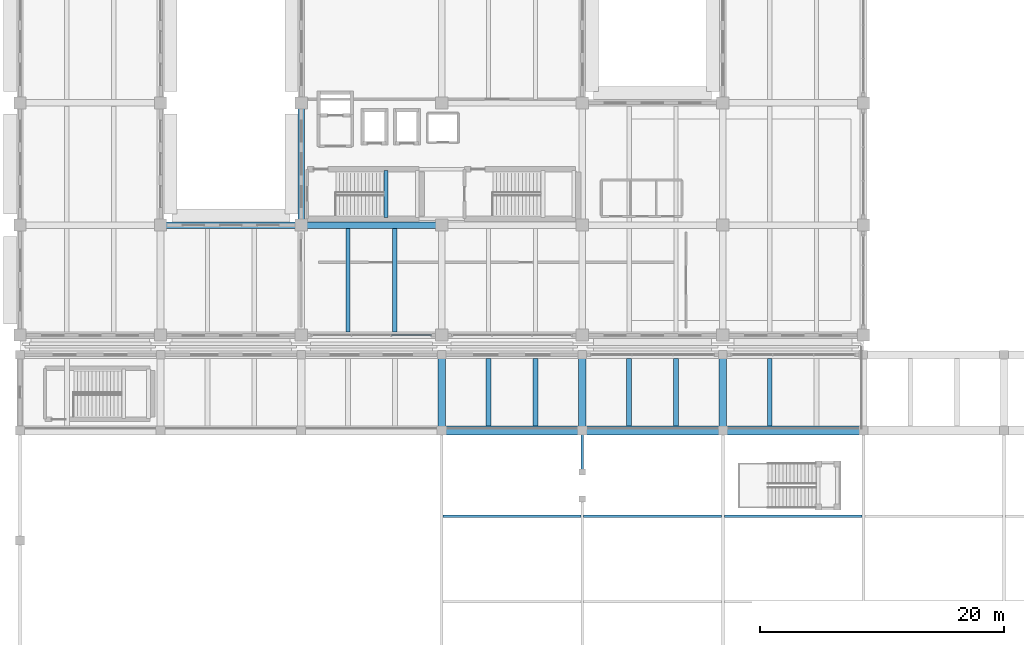
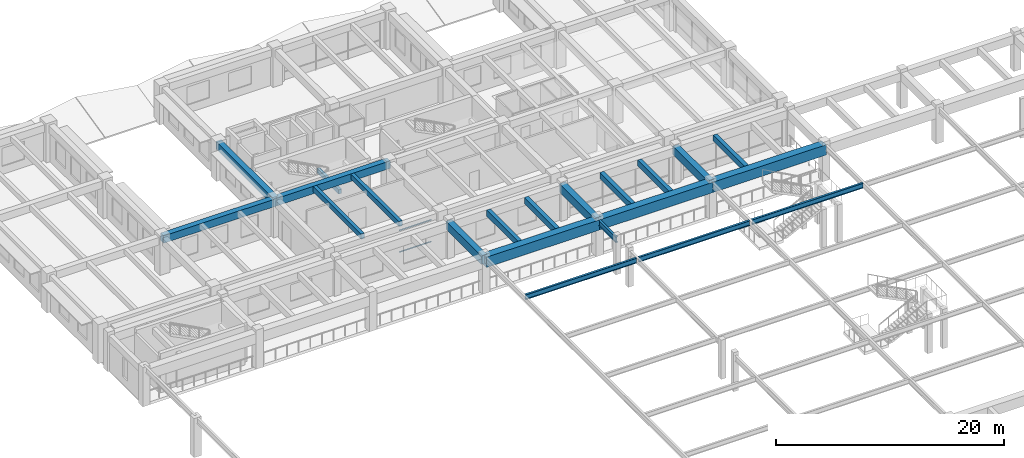
# One storey, part 21 of 98: 21 beams, 2 members, 1 element without a shape of its own.
"""IFC4 building model written with IfcOpenShell, lengths in metres."""

from ifc_helpers import new_model, si_unit, direction, frame, origin, origin_2d, place, context, subcontext, project, spatial, rectangle, hollow_rectangle, i_section, extrude, material, material_profile, profile_set, type_object, element, aggregate, save


model = new_model("IFC4")

# Units and contexts
model_context = context("Model", 3, precision=1e-05, world=origin(), true_north=direction((0.0, 1.0)))
body_context = subcontext(model_context, "Body", "Model", "MODEL_VIEW")
ifc_project = project(units=[si_unit("LENGTHUNIT", "METRE"), si_unit("AREAUNIT", "SQUARE_METRE"), si_unit("VOLUMEUNIT", "CUBIC_METRE"), si_unit("PLANEANGLEUNIT", "RADIAN"), si_unit("MASSUNIT", "GRAM", prefix="KILO")], contexts=[model_context])

# Site, building, storey
site_placement = place(None, origin())
site = spatial("IfcSite", under=ifc_project, at=site_placement, CompositionType="ELEMENT")
building_placement = place(site_placement, origin())
building = spatial("IfcBuilding", under=site, at=building_placement, Name="Ologun Quay Terminus", CompositionType="ELEMENT")
storey_placement = place(building_placement, frame((0.0, 0.0, 4.199951171875)))
storey = spatial("IfcBuildingStorey", under=building, at=storey_placement, Name="L01", CompositionType="ELEMENT", Elevation=4.199951171875)

# Beams
ifc_material_1 = material(Name="Concrete C45/55", Category="concrete")
ifc_material_profile_1 = material_profile(ifc_material_1, rectangle(XDim=0.75, YDim=1.10009765625, at=origin_2d()), Name="RC 750x1100")
ifc_profile_set_1 = profile_set([ifc_material_profile_1], Name="Concrete C45/55")
beam_type_1 = type_object("IfcBeamType", Name="Concourse Primary Girder 750x1100", PredefinedType="BEAM", material=ifc_profile_set_1)
for number, where, z_axis, x_axis, name in (
    (1, (34.5, 78.0, 3.300048828125), (1.0, 0.0, 0.0), (0.0, 1.0, 0.0), "B2 Beam 4/F L01"),
    (2, (46.0, 78.0, 3.300048828125), (1.0, 0.0, 0.0), (0.0, 1.0, 0.0), "B2 Beam 5/F L01"),
    (3, (57.5, 78.0, 3.300048828125), (1.0, 0.0, 0.0), (0.0, 1.0, 0.0), "B2 Beam 6/F L01"),
):
    element("IfcBeam", number, at=place(storey_placement, frame(where, z_axis=z_axis, x_axis=x_axis)), inside=storey, type_object=beam_type_1, Name=name, PredefinedType="BEAM", context=body_context, shape_type="SweptSolid", body=[
        extrude(rectangle(XDim=0.75, YDim=1.10009765625, at=origin_2d()), origin(), (0.0, 0.0, 1.0), 11.5),
    ])
ifc_material_2 = material(Name="Steel S355", Category="steel")
ifc_material_profile_2 = material_profile(ifc_material_2, i_section(OverallWidth=0.209228515625, OverallDepth=0.533203125, WebThickness=0.010009765625, FlangeThickness=0.015625, at=origin_2d()), Name="UKB 533x210x92")
ifc_profile_set_2 = profile_set([ifc_material_profile_2], Name="Steel S355")
beam_type_2 = type_object("IfcBeamType", Name="Concourse Steel Secondary Beam UKB533", PredefinedType="BEAM", material=ifc_profile_set_2)
for number, where, z_axis, x_axis, name in (
    (4, (34.614013671875, 71.0, 3.58349609375), (1.0, 0.0, 0.0), (0.0, 1.0, 0.0), "SB2 Beam 4/E L01"),
    (5, (46.114013671875, 71.0, 3.58349609375), (1.0, 0.0, 0.0), (0.0, 1.0, 0.0), "SB2 Beam 5/E L01"),
    (6, (57.614013671875, 71.0, 3.58349609375), (1.0, 0.0, 0.0), (0.0, 1.0, 0.0), "SB2 Beam 6/E L01"),
):
    element("IfcBeam", number, at=place(storey_placement, frame(where, z_axis=z_axis, x_axis=x_axis)), inside=storey, type_object=beam_type_2, Name=name, PredefinedType="BEAM", context=body_context, shape_type="SweptSolid", body=[
        extrude(i_section(OverallWidth=0.209228515625, OverallDepth=0.533203125, WebThickness=0.010009765625, FlangeThickness=0.015625, at=origin_2d()), origin(), (0.0, 0.0, 1.0), 11.27197265625),
    ])
ifc_material_3 = material(Name="Steel S355", Category="steel")
ifc_material_profile_3 = material_profile(ifc_material_3, i_section(OverallWidth=0.228271484375, OverallDepth=0.607666015625, WebThickness=0.010986328125, FlangeThickness=0.017333984375, at=origin_2d()), Name="UKB 610x229x113")
ifc_profile_set_3 = profile_set([ifc_material_profile_3], Name="Steel S355")
beam_type_3 = type_object("IfcBeamType", Name="Concourse Steel Spine Girder UKB610", PredefinedType="BEAM", material=ifc_profile_set_3)
beam_1_placement = place(storey_placement, frame((46.0, 74.60009765625, 3.546142578125), z_axis=(0.0, 1.0, 0.0), x_axis=(-1.0, 0.0, 0.0)))
element("IfcBeam", 7, at=beam_1_placement, inside=storey, type_object=beam_type_3, Name="SB1 Beam 5/E L01", PredefinedType="BEAM", context=body_context, shape_type="SweptSolid", body=[
    extrude(i_section(OverallWidth=0.228271484375, OverallDepth=0.607666015625, WebThickness=0.010986328125, FlangeThickness=0.017333984375, at=origin_2d()), origin(), (0.0, 0.0, 1.0), 3.39990234375),
])
ifc_material_4 = material(Name="Concrete C40/50", Category="concrete")
ifc_material_profile_4 = material_profile(ifc_material_4, rectangle(XDim=0.300048828125, YDim=0.449951171875, at=origin_2d()), Name="RC 300x450")
ifc_profile_set_4 = profile_set([ifc_material_profile_4], Name="Concrete C40/50")
beam_type_4 = type_object("IfcBeamType", Name="Core Coupling Lintel Beam 300x450", PredefinedType="LINTEL", material=ifc_profile_set_4)
beam_2_placement = place(storey_placement, frame((29.93994140625, 95.429931640625, 1.695068359375), z_axis=(0.0, 1.0, 0.0), x_axis=(-1.0, 0.0, 0.0)))
element("IfcBeam", 8, at=beam_2_placement, inside=storey, type_object=beam_type_4, Name="LN1 Half-Landing Ledger Beam ST-W1-W L01", PredefinedType="LINTEL", context=body_context, shape_type="SweptSolid", body=[
    extrude(rectangle(XDim=0.300048828125, YDim=0.449951171875, at=origin_2d()), origin(), (0.0, 0.0, 1.0), 3.840087890625),
])

# Curtain wall, members
ifc_material_5 = material(Name="Aluminium 6063-T6", Category="aluminium")
curtain_wall_type = type_object("IfcCurtainWallType", Name="Waterfront Pavilion Harbour Curtain Wall L01 10500x3850", PredefinedType="USERDEFINED", material=ifc_material_5)
curtain_wall_placement = place(storey_placement, origin())
curtain_wall = element("IfcCurtainWall", 9, at=curtain_wall_placement, inside=storey, type_object=curtain_wall_type, Name="CW-23 Curtain Wall CW-L01-097", ObjectType="UNITISED CURTAIN WALL", PredefinedType="USERDEFINED")
ifc_material_6 = material(Name="Aluminium 6063-T6", Category="aluminium")
ifc_material_profile_5 = material_profile(ifc_material_6, hollow_rectangle(XDim=0.054931640625, YDim=0.110107421875, WallThickness=0.00390625, at=origin_2d()), Name="ALU 110x55x4")
ifc_profile_set_5 = profile_set([ifc_material_profile_5], Name="Aluminium 6063-T6")
member_type = type_object("IfcMemberType", Name="Courtyard Screen Transom 110x55", PredefinedType="USERDEFINED", material=ifc_profile_set_5)
member_1_placement = place(storey_placement, frame((30.376708984375, 85.800048828125, 0.900146484375), z_axis=(1.0, 0.0, 0.0), x_axis=(0.0, 1.0, 0.0)))
member_1 = element("IfcMember", 10, at=member_1_placement, type_object=member_type, Name="CW-L01-097 Transom B3-1", ObjectType="TRANSOM", PredefinedType="USERDEFINED", context=body_context, shape_type="SweptSolid", body=[
    extrude(hollow_rectangle(XDim=0.054931640625, YDim=0.110107421875, WallThickness=0.00390625, at=origin_2d()), origin(), (0.0, 0.0, 1.0), 3.253173828125),
])
member_2_placement = place(storey_placement, frame((30.376708984375, 85.800048828125, 3.22998046875), z_axis=(1.0, 0.0, 0.0), x_axis=(0.0, 1.0, 0.0)))
member_2 = element("IfcMember", 11, at=member_2_placement, type_object=member_type, Name="CW-L01-097 Transom B3-2", ObjectType="TRANSOM", PredefinedType="USERDEFINED", context=body_context, shape_type="SweptSolid", body=[
    extrude(hollow_rectangle(XDim=0.054931640625, YDim=0.110107421875, WallThickness=0.00390625, at=origin_2d()), origin(), (0.0, 0.0, 1.0), 3.253173828125),
])
aggregate(curtain_wall, [member_1, member_2])

# Beams
ifc_material_7 = material(Name="Concrete C40/50", Category="concrete")
ifc_material_profile_6 = material_profile(ifc_material_7, rectangle(XDim=0.550048828125, YDim=0.800048828125, at=origin_2d()), Name="RC 550x800")
ifc_profile_set_6 = profile_set([ifc_material_profile_6], Name="Concrete C40/50")
beam_type_5 = type_object("IfcBeamType", Name="Courtyard Wing Primary Girder 550x800", PredefinedType="BEAM", material=ifc_profile_set_6)
for number, where, z_axis, x_axis, name in (
    (12, (11.5, 94.800048828125, 3.550048828125), (1.0, 0.0, 0.0), (0.0, 1.0, 0.0), "B4 Beam 2/H L01"),
    (13, (23.0, 94.800048828125, 3.550048828125), (1.0, 0.0, 0.0), (0.0, 1.0, 0.0), "B4 Beam 3/H L01"),
):
    element("IfcBeam", number, at=place(storey_placement, frame(where, z_axis=z_axis, x_axis=x_axis)), inside=storey, type_object=beam_type_5, Name=name, PredefinedType="BEAM", context=body_context, shape_type="SweptSolid", body=[
        extrude(rectangle(XDim=0.550048828125, YDim=0.800048828125, at=origin_2d()), origin(), (0.0, 0.0, 1.0), 11.5),
    ])
beam_3_placement = place(storey_placement, frame((23.0, 94.800048828125, 3.550048828125), z_axis=(0.0, 1.0, 0.0), x_axis=(-1.0, 0.0, 0.0)))
element("IfcBeam", 14, at=beam_3_placement, inside=storey, type_object=beam_type_5, Name="B4 Beam 3/H L01", PredefinedType="BEAM", context=body_context, shape_type="SweptSolid", body=[
    extrude(rectangle(XDim=0.550048828125, YDim=0.800048828125, at=origin_2d()), origin(), (0.0, 0.0, 1.0), 10.0),
])
ifc_material_8 = material(Name="Concrete C40/50", Category="concrete")
ifc_material_profile_7 = material_profile(ifc_material_8, rectangle(XDim=0.35009765625, YDim=0.550048828125, at=origin_2d()), Name="RC 350x550")
ifc_profile_set_7 = profile_set([ifc_material_profile_7], Name="Concrete C40/50")
beam_type_6 = type_object("IfcBeamType", Name="Courtyard Wing Secondary Joist 350x550", PredefinedType="JOIST", material=ifc_profile_set_7)
for number, where, z_axis, x_axis, name in (
    (15, (26.833251953125, 86.074951171875, 3.675048828125), (0.0, 1.0, 0.0), (-1.0, 0.0, 0.0), "J2 Beam 3/G2 L01"),
    (16, (30.666748046875, 86.074951171875, 3.675048828125), (0.0, 1.0, 0.0), (-1.0, 0.0, 0.0), "J2 Beam 3/G2 L01"),
):
    element("IfcBeam", number, at=place(storey_placement, frame(where, z_axis=z_axis, x_axis=x_axis)), inside=storey, type_object=beam_type_6, Name=name, PredefinedType="JOIST", context=body_context, shape_type="SweptSolid", body=[
        extrude(rectangle(XDim=0.35009765625, YDim=0.550048828125, at=origin_2d()), origin(), (0.0, 0.0, 1.0), 8.449951171875),
    ])
ifc_material_9 = material(Name="Concrete C40/50", Category="concrete")
ifc_material_profile_8 = material_profile(ifc_material_9, rectangle(XDim=0.60009765625, YDim=0.89990234375, at=origin_2d()), Name="RC 600x900")
ifc_profile_set_8 = profile_set([ifc_material_profile_8], Name="Concrete C40/50")
beam_type_7 = type_object("IfcBeamType", Name="Station Frame Girder 600x900", PredefinedType="BEAM", material=ifc_profile_set_8)
for number, where, z_axis, x_axis, name in (
    (17, (34.5, 78.0, 3.400146484375), (0.0, 1.0, 0.0), (-1.0, 0.0, 0.0), "B3 Beam 4/F L01"),
    (18, (46.0, 78.0, 3.400146484375), (0.0, 1.0, 0.0), (-1.0, 0.0, 0.0), "B3 Beam 5/F L01"),
    (19, (57.5, 78.0, 3.400146484375), (0.0, 1.0, 0.0), (-1.0, 0.0, 0.0), "B3 Beam 6/F L01"),
):
    element("IfcBeam", number, at=place(storey_placement, frame(where, z_axis=z_axis, x_axis=x_axis)), inside=storey, type_object=beam_type_7, Name=name, PredefinedType="BEAM", context=body_context, shape_type="SweptSolid", body=[
        extrude(rectangle(XDim=0.60009765625, YDim=0.89990234375, at=origin_2d()), origin(), (0.0, 0.0, 1.0), 6.199951171875),
    ])
ifc_material_10 = material(Name="Concrete C40/50", Category="concrete")
ifc_material_profile_9 = material_profile(ifc_material_10, rectangle(XDim=0.39990234375, YDim=0.64990234375, at=origin_2d()), Name="RC 400x650")
ifc_profile_set_9 = profile_set([ifc_material_profile_9], Name="Concrete C40/50")
beam_type_8 = type_object("IfcBeamType", Name="Station Secondary Joist 400x650", PredefinedType="JOIST", material=ifc_profile_set_9)
for number, where, z_axis, x_axis, name in (
    (20, (38.333251953125, 78.375, 3.525146484375), (0.0, 1.0, 0.0), (-1.0, 0.0, 0.0), "J1 Beam 4/F L01"),
    (21, (42.166748046875, 78.375, 3.525146484375), (0.0, 1.0, 0.0), (-1.0, 0.0, 0.0), "J1 Beam 4/F L01"),
    (22, (49.833251953125, 78.375, 3.525146484375), (0.0, 1.0, 0.0), (-1.0, 0.0, 0.0), "J1 Beam 5/F L01"),
    (23, (53.666748046875, 78.375, 3.525146484375), (0.0, 1.0, 0.0), (-1.0, 0.0, 0.0), "J1 Beam 5/F L01"),
    (24, (61.333251953125, 78.375, 3.525146484375), (0.0, 1.0, 0.0), (-1.0, 0.0, 0.0), "J1 Beam 6/F L01"),
):
    element("IfcBeam", number, at=place(storey_placement, frame(where, z_axis=z_axis, x_axis=x_axis)), inside=storey, type_object=beam_type_8, Name=name, PredefinedType="JOIST", context=body_context, shape_type="SweptSolid", body=[
        extrude(rectangle(XDim=0.39990234375, YDim=0.64990234375, at=origin_2d()), origin(), (0.0, 0.0, 1.0), 5.52490234375),
    ])

save(model, "model.ifc")
